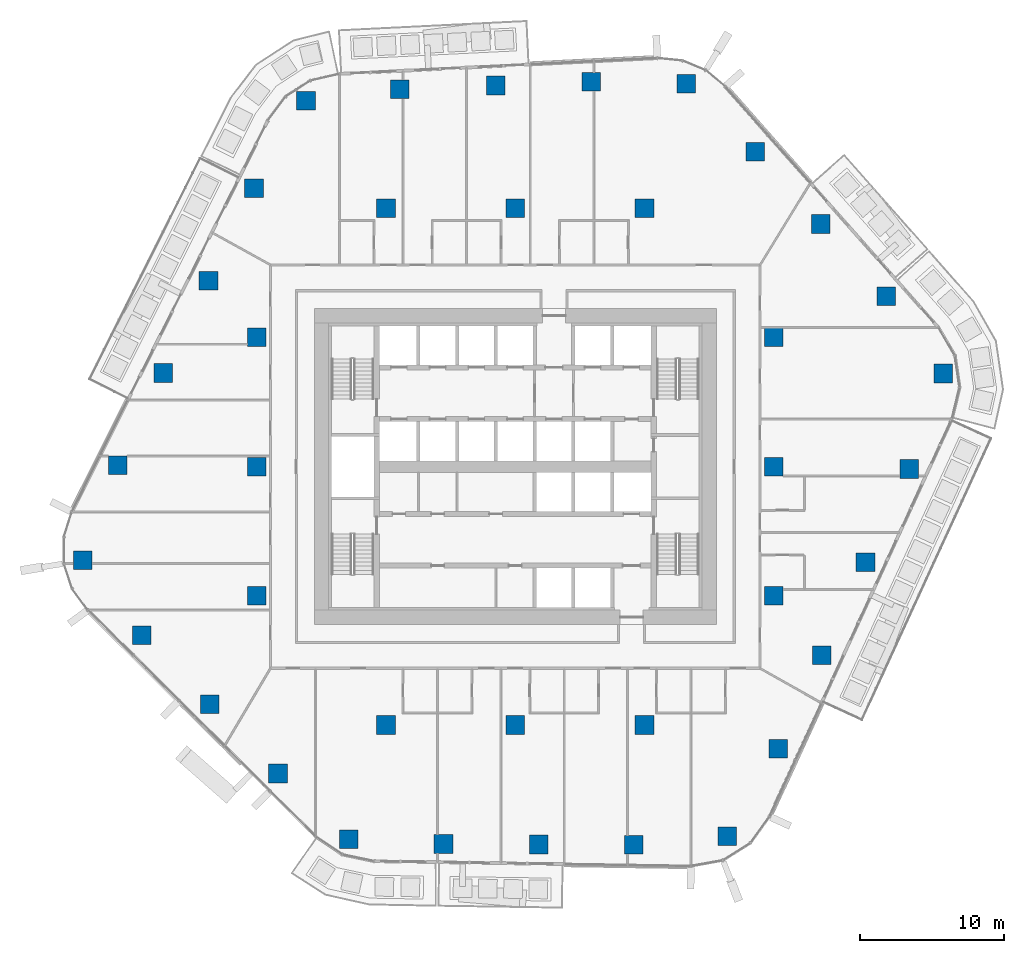
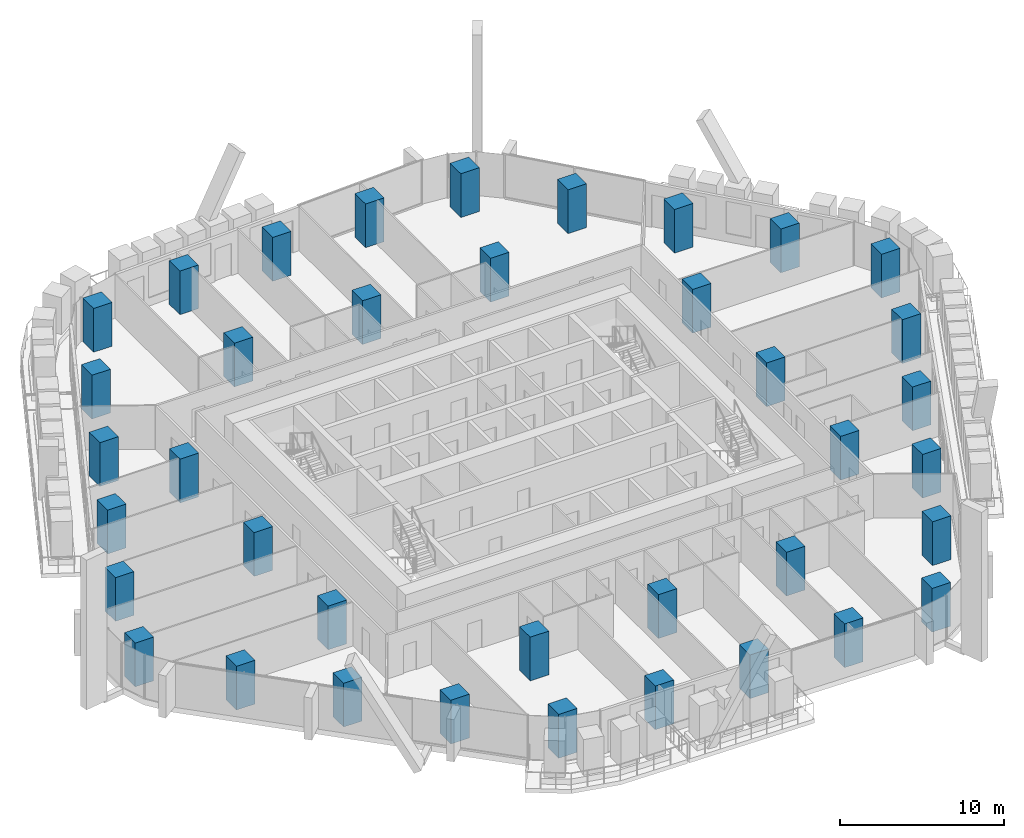
# One storey, part 1 of 26: 38 columns.
"""IFC4 building model written with IfcOpenShell, lengths in metres."""

from ifc_helpers import new_model, si_unit, direction, frame, origin, origin_2d, place, context, subcontext, project, spatial, rectangle, extrude, material, material_profile, profile_set, type_object, element, save


model = new_model("IFC4")

# Units and contexts
model_context = context("Model", 3, precision=1e-05, world=origin(), true_north=direction((0.0, 1.0)))
body_context = subcontext(model_context, "Body", "Model", "MODEL_VIEW")
ifc_project = project(units=[si_unit("LENGTHUNIT", "METRE"), si_unit("AREAUNIT", "SQUARE_METRE"), si_unit("VOLUMEUNIT", "CUBIC_METRE"), si_unit("PLANEANGLEUNIT", "RADIAN"), si_unit("MASSUNIT", "GRAM", prefix="KILO")], contexts=[model_context])

# Site, building, storey
site_placement = place(None, origin())
site = spatial("IfcSite", under=ifc_project, at=site_placement, CompositionType="ELEMENT")
building_placement = place(site_placement, origin())
building = spatial("IfcBuilding", under=site, at=building_placement, Name="Dongbaek Canopy Tower", CompositionType="ELEMENT")
storey_placement = place(building_placement, frame((0.0, 0.0, 95.199951171875)))
storey = spatial("IfcBuildingStorey", under=building, at=storey_placement, Name="L19", CompositionType="ELEMENT", Elevation=95.199951171875)

# Columns
ifc_material = material(Name="Concrete C80", Category="concrete")
ifc_material_profile = material_profile(ifc_material, rectangle(XDim=1.300048828125, YDim=1.300048828125, at=origin_2d()), Name="RC COLUMN 1300x1300 C80")
ifc_profile_set = profile_set([ifc_material_profile], Name="Concrete C80")
column_type = type_object("IfcColumnType", Name="RC COLUMN 1300x1300 C80", PredefinedType="COLUMN", material=ifc_profile_set)
for number, where, z_axis, x_axis, name in (
    (1, (14.760009765625, -25.7490234375, 0.0), (0.0, 0.0, 1.0), (1.0, 0.0, 0.0), "COL:CZ2-01:L19"),
    (2, (8.258056640625, -26.34912109375, 0.0), (0.0, 0.0, 1.0), (1.0, 0.0, 0.0), "COL:CZ2-02:L19"),
    (3, (1.62890625, -26.319091796875, 0.0), (0.0, 0.0, 1.0), (1.0, 0.0, 0.0), "COL:CZ2-03:L19"),
    (4, (-5.0, -26.2900390625, 0.0), (0.0, 0.0, 1.0), (1.0, 0.0, 0.0), "COL:CZ2-04:L19"),
    (5, (-11.59912109375, -25.966064453125, 0.0), (0.0, 0.0, 1.0), (1.0, 0.0, 0.0), "COL:CZ2-05:L19"),
    (6, (-16.532958984375, -21.376953125, 0.0), (0.0, 0.0, 1.0), (1.0, 0.0, 0.0), "COL:CZ2-06:L19"),
    (7, (-21.277099609375, -16.56005859375, 0.0), (0.0, 0.0, 1.0), (1.0, 0.0, 0.0), "COL:CZ2-07:L19"),
    (8, (-26.02099609375, -11.742919921875, 0.0), (0.0, 0.0, 1.0), (1.0, 0.0, 0.0), "COL:CZ2-08:L19"),
    (9, (-30.125, -6.527099609375, 0.0), (0.0, 0.0, 1.0), (1.0, 0.0, 0.0), "COL:CZ2-09:L19"),
    (10, (-27.693115234375, 0.0830078125, 0.0), (0.0, 0.0, 1.0), (1.0, 0.0, 0.0), "COL:CZ2-10:L19"),
    (11, (-24.529052734375, 6.51806640625, 0.0), (0.0, 0.0, 1.0), (1.0, 0.0, 0.0), "COL:CZ2-11:L19"),
    (12, (-21.364013671875, 12.951904296875, 0.0), (0.0, 0.0, 1.0), (1.0, 0.0, 0.0), "COL:CZ2-12:L19"),
    (13, (-18.198974609375, 19.385986328125, 0.0), (0.0, 0.0, 1.0), (1.0, 0.0, 0.0), "COL:CZ2-13:L19"),
    (14, (-14.575927734375, 25.471923828125, 0.0), (0.0, 0.0, 1.0), (1.0, 0.0, 0.0), "COL:CZ2-14:L19"),
    (15, (-8.041015625, 26.2880859375, 0.0), (0.0, 0.0, 1.0), (1.0, 0.0, 0.0), "COL:CZ2-15:L19"),
    (16, (-1.3720703125, 26.5439453125, 0.0), (0.0, 0.0, 1.0), (1.0, 0.0, 0.0), "COL:CZ2-16:L19"),
    (17, (5.294921875, 26.798095703125, 0.0), (0.0, 0.0, 1.0), (1.0, 0.0, 0.0), "COL:CZ2-17:L19"),
    (18, (11.9169921875, 26.674072265625, 0.0), (0.0, 0.0, 1.0), (1.0, 0.0, 0.0), "COL:CZ2-18:L19"),
    (19, (16.718017578125, 21.93505859375, 0.0), (0.0, 0.0, 1.0), (1.0, 0.0, 0.0), "COL:CZ2-19:L19"),
    (20, (21.280029296875, 16.89794921875, 0.0), (0.0, 0.0, 1.0), (1.0, 0.0, 0.0), "COL:CZ2-20:L19"),
    (21, (25.841064453125, 11.862060546875, 0.0), (0.0, 0.0, 1.0), (1.0, 0.0, 0.0), "COL:CZ2-21:L19"),
    (22, (29.81103515625, 6.48193359375, 0.0), (0.0, 0.0, 1.0), (1.0, 0.0, 0.0), "COL:CZ2-22:L19"),
    (23, (27.43603515625, -0.1650390625, 0.0), (0.0, 0.0, 1.0), (1.0, 0.0, 0.0), "COL:CZ2-23:L19"),
    (24, (24.39599609375, -6.656982421875, 0.0), (0.0, 0.0, 1.0), (1.0, 0.0, 0.0), "COL:CZ2-24:L19"),
    (25, (21.35595703125, -13.14990234375, 0.0), (0.0, 0.0, 1.0), (1.0, 0.0, 0.0), "COL:CZ2-25:L19"),
    (26, (18.31494140625, -19.64208984375, 0.0), (0.0, 0.0, 1.0), (1.0, 0.0, 0.0), "COL:CZ2-26:L19"),
    (27, (-18.0, -9.0, 0.0), (0.0, 0.0, 1.0), (1.0, 0.0, 0.0), "COL:CIZ2-01:L19"),
    (28, (-18.0, 0.0, 0.0), (0.0, 0.0, 1.0), (1.0, 0.0, 0.0), "COL:CIZ2-02:L19"),
    (29, (-18.0, 9.0, 0.0), (0.0, 0.0, 1.0), (1.0, 0.0, 0.0), "COL:CIZ2-03:L19"),
    (30, (-9.0, -18.0, 0.0), (0.0, 0.0, 1.0), (1.0, 0.0, 0.0), "COL:CIZ2-04:L19"),
    (31, (-9.0, 18.0, 0.0), (0.0, 0.0, 1.0), (1.0, 0.0, 0.0), "COL:CIZ2-05:L19"),
    (32, (0.0, -18.0, 0.0), (0.0, 0.0, 1.0), (1.0, 0.0, 0.0), "COL:CIZ2-06:L19"),
    (33, (0.0, 18.0, 0.0), (0.0, 0.0, 1.0), (1.0, 0.0, 0.0), "COL:CIZ2-07:L19"),
    (34, (9.0, -18.0, 0.0), (0.0, 0.0, 1.0), (1.0, 0.0, 0.0), "COL:CIZ2-08:L19"),
    (35, (9.0, 18.0, 0.0), (0.0, 0.0, 1.0), (1.0, 0.0, 0.0), "COL:CIZ2-09:L19"),
    (36, (18.0, -9.0, 0.0), (0.0, 0.0, 1.0), (1.0, 0.0, 0.0), "COL:CIZ2-10:L19"),
    (37, (18.0, 0.0, 0.0), (0.0, 0.0, 1.0), (1.0, 0.0, 0.0), "COL:CIZ2-11:L19"),
    (38, (18.0, 9.0, 0.0), (0.0, 0.0, 1.0), (1.0, 0.0, 0.0), "COL:CIZ2-12:L19"),
):
    element("IfcColumn", number, at=place(storey_placement, frame(where, z_axis=z_axis, x_axis=x_axis)), inside=storey, type_object=column_type, Name=name, PredefinedType="COLUMN", context=body_context, shape_type="SweptSolid", body=[
        extrude(rectangle(XDim=1.300048828125, YDim=1.300048828125, at=origin_2d()), origin(), (0.0, 0.0, 1.0), 3.25),
    ])

save(model, "model.ifc")
